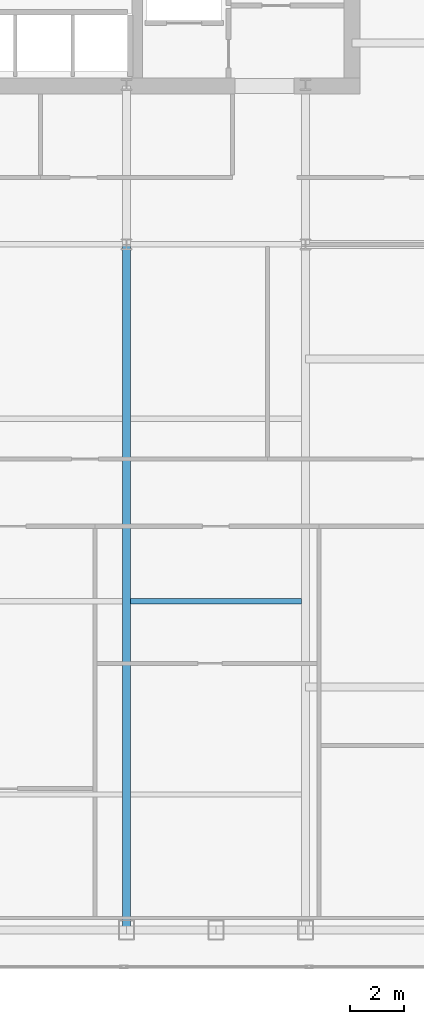
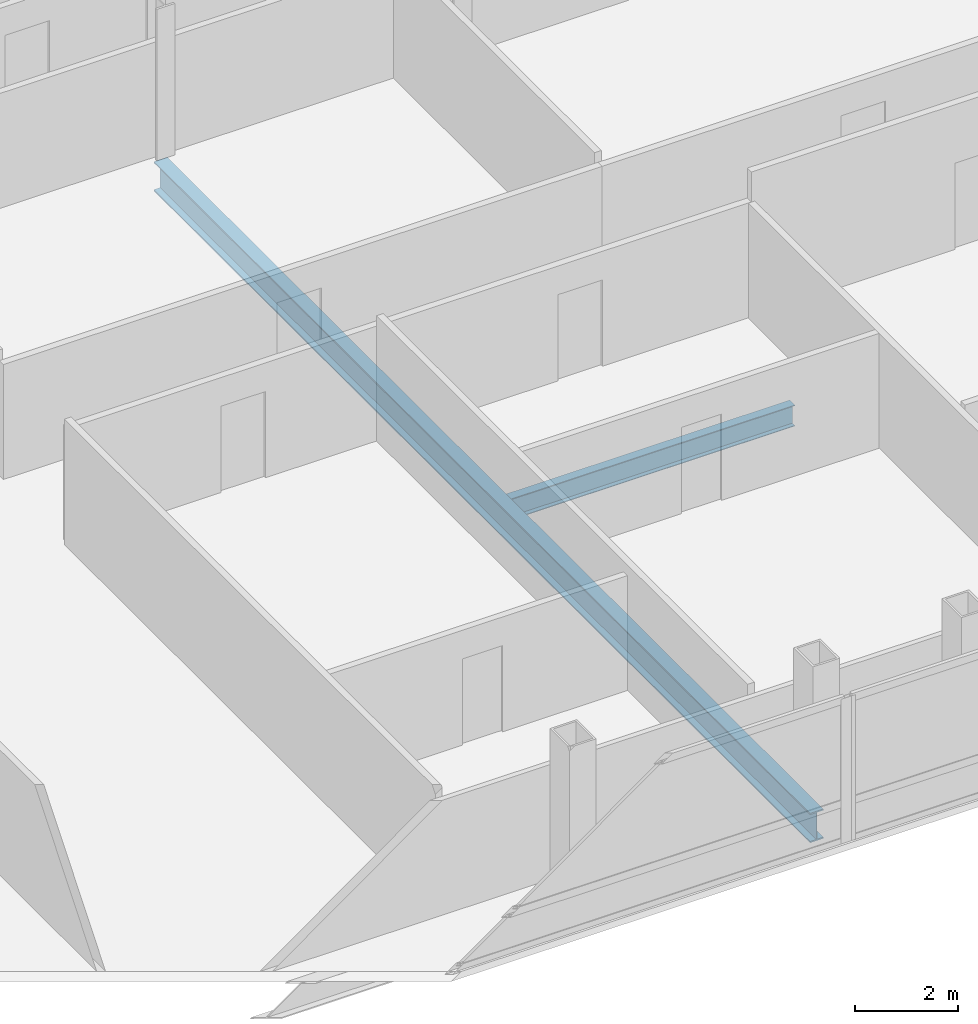
# One storey, part 15 of 32: 2 beams.
"""IFC4 building model written with IfcOpenShell, lengths in metres."""

from ifc_helpers import new_model, si_unit, direction, frame, origin, origin_2d, place, context, subcontext, project, spatial, i_section, extrude, material, material_profile, profile_set, type_object, element, save


model = new_model("IFC4")

# Units and contexts
model_context = context("Model", 3, precision=1e-05, world=origin(), true_north=direction((0.0, 1.0)))
body_context = subcontext(model_context, "Body", "Model", "MODEL_VIEW")
ifc_project = project(units=[si_unit("LENGTHUNIT", "METRE"), si_unit("AREAUNIT", "SQUARE_METRE"), si_unit("VOLUMEUNIT", "CUBIC_METRE"), si_unit("PLANEANGLEUNIT", "RADIAN"), si_unit("MASSUNIT", "GRAM", prefix="KILO")], contexts=[model_context])

# Site, building, storey
site_placement = place(None, origin())
site = spatial("IfcSite", under=ifc_project, at=site_placement, CompositionType="ELEMENT")
building_placement = place(site_placement, origin())
building = spatial("IfcBuilding", under=site, at=building_placement, Name="Khoronbel Lancet Exchange", CompositionType="ELEMENT")
storey_placement = place(building_placement, frame((0.0, 0.0, 192.199951171875)))
storey = spatial("IfcBuildingStorey", under=building, at=storey_placement, Name="L48", CompositionType="ELEMENT", Elevation=192.199951171875)

# Beams
ifc_material = material(Name="Steel S355", Category="steel")
ifc_material_profile_1 = material_profile(ifc_material, i_section(OverallWidth=0.300048828125, OverallDepth=0.699951171875, WebThickness=0.01708984375, FlangeThickness=0.031982421875, at=origin_2d()), Name="HEB 700")
ifc_profile_set_1 = profile_set([ifc_material_profile_1], Name="Steel S355")
beam_type_1 = type_object("IfcBeamType", Name="BM-BG3", PredefinedType="BEAM", material=ifc_profile_set_1)
beam_1_placement = place(storey_placement, frame((48.0, 10.14990234375, -0.510009765625), z_axis=(0.0, 1.0, 0.0), x_axis=(-1.0, 0.0, 0.0)))
element("IfcBeam", 1, at=beam_1_placement, inside=storey, type_object=beam_type_1, Name="Level L48 south primary girder GS5", PredefinedType="BEAM", context=body_context, shape_type="SweptSolid", body=[
    extrude(i_section(OverallWidth=0.300048828125, OverallDepth=0.699951171875, WebThickness=0.01708984375, FlangeThickness=0.031982421875, at=origin_2d()), origin(), (0.0, 0.0, 1.0), 25.550048828125),
])
ifc_material_profile_2 = material_profile(ifc_material, i_section(OverallWidth=0.199951171875, OverallDepth=0.5, WebThickness=0.01025390625, FlangeThickness=0.01611328125, at=origin_2d()), Name="IPE 500")
ifc_profile_set_2 = profile_set([ifc_material_profile_2], Name="Steel S355")
beam_type_2 = type_object("IfcBeamType", Name="BM-BJ3", PredefinedType="JOIST", material=ifc_profile_set_2)
beam_2_placement = place(storey_placement, frame((48.14990234375, 22.39990234375, -0.409912109375), z_axis=(1.0, 0.0, 0.0), x_axis=(0.0, 1.0, 0.0)))
element("IfcBeam", 2, at=beam_2_placement, inside=storey, type_object=beam_type_2, Name="Level L48 secondary composite joist J10", PredefinedType="JOIST", context=body_context, shape_type="SweptSolid", body=[
    extrude(i_section(OverallWidth=0.199951171875, OverallDepth=0.5, WebThickness=0.01025390625, FlangeThickness=0.01611328125, at=origin_2d()), origin(), (0.0, 0.0, 1.0), 6.375),
])

save(model, "model.ifc")
